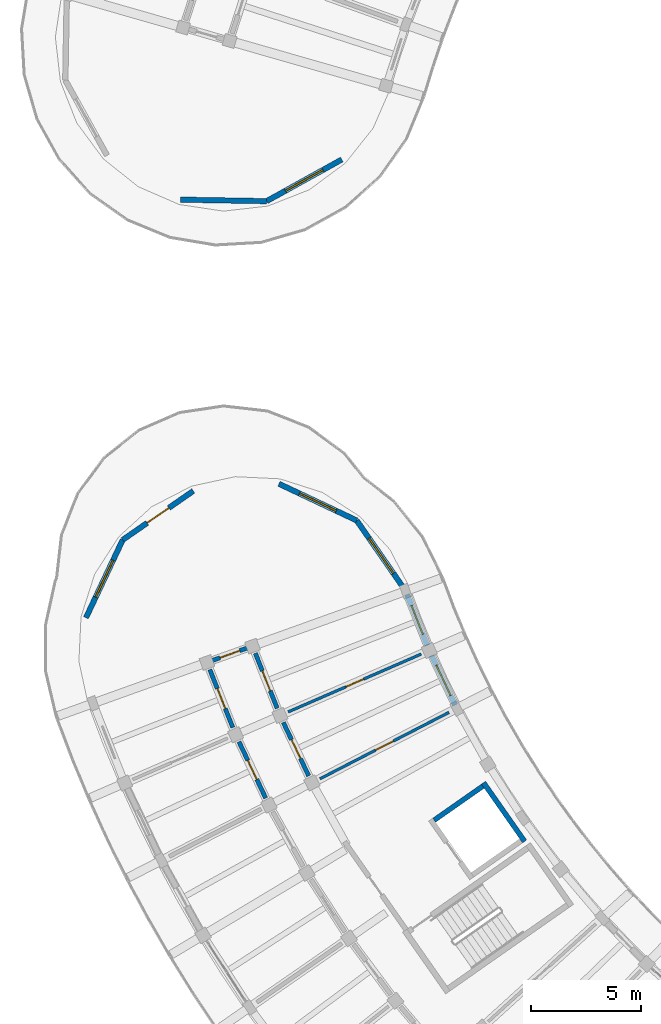
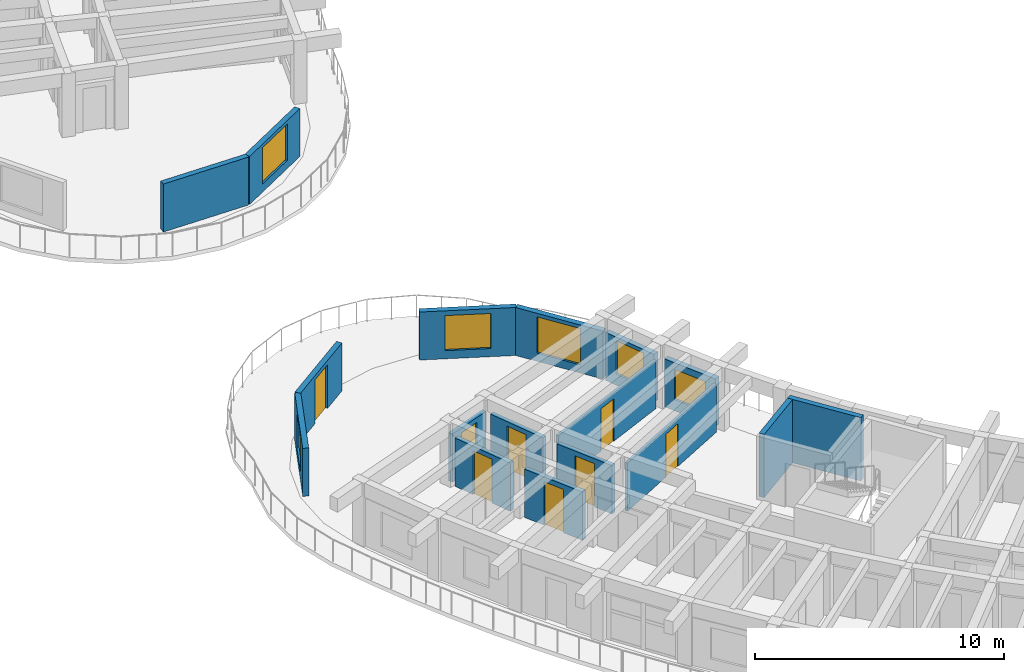
# One storey, part 40 of 78: 17 walls, 8 doors, 6 windows, 14 openings.
"""IFC4 building model written with IfcOpenShell, lengths in metres."""

from ifc_helpers import new_model, si_unit, direction, frame, frame_2d, origin, place, context, subcontext, project, spatial, rectangle, extrude, material, layer, layer_set, type_object, element, fill, save


model = new_model("IFC4")

# Units and contexts
model_context = context("Model", 3, precision=1e-05, world=origin(), true_north=direction((0.0, 1.0)))
body_context = subcontext(model_context, "Body", "Model", "MODEL_VIEW")
ifc_project = project(units=[si_unit("LENGTHUNIT", "METRE"), si_unit("AREAUNIT", "SQUARE_METRE"), si_unit("VOLUMEUNIT", "CUBIC_METRE"), si_unit("PLANEANGLEUNIT", "RADIAN"), si_unit("MASSUNIT", "GRAM", prefix="KILO")], contexts=[model_context])

# Site, building, storey
site_placement = place(None, origin())
site = spatial("IfcSite", under=ifc_project, at=site_placement, CompositionType="ELEMENT")
building_placement = place(site_placement, origin())
building = spatial("IfcBuilding", under=site, at=building_placement, Name="Tanwirah Colonnade Gardens", CompositionType="ELEMENT")
storey_placement = place(building_placement, frame((0.0, 0.0, 22.280029296875)))
storey = spatial("IfcBuildingStorey", under=building, at=storey_placement, Name="L06", CompositionType="ELEMENT", Elevation=22.280029296875)

# Wall, opening, window
ifc_material_1 = material(Name="Limestone architectural precast concrete C40/50", Category="masonry")
ifc_layer_1 = layer(ifc_material_1, 0.2451171875)
ifc_layer_set_1 = layer_set([ifc_layer_1], Name="Limestone architectural precast concrete C40/50")
wall_type_1 = type_object("IfcWallType", Name="EW-PC245", PredefinedType="SOLIDWALL", material=ifc_layer_set_1)
wall_1_placement = place(storey_placement, frame((20.259033203125, 69.10205078125, 0.0), z_axis=(0.0, 0.0, 1.0), x_axis=(-0.874643043537, -0.484767517881, 0.0)))
wall_1 = element("IfcWall", 1, at=wall_1_placement, inside=storey, type_object=wall_type_1, Name="Block A L06 END Rounded End Wall 1", PredefinedType="SOLIDWALL", context=body_context, shape_type="SweptSolid", body=[
    extrude(rectangle(XDim=3.908203125, YDim=0.2451171875, at=frame_2d((1.9541015625, 0.0))), origin(), (0.0, 0.0, 1.0), 2.35498046875),
])
opening_1_placement = place(wall_1_placement, frame((0.97900390625, 0.0, 0.39990234375)))
opening_1 = element("IfcOpeningElement", 2, at=opening_1_placement, cuts=wall_1, Name="Opening WIN-END2", PredefinedType="OPENING", context=body_context, shape_type="SweptSolid", body=[
    extrude(rectangle(XDim=1.949951171875, YDim=1.780029296875, at=frame_2d((0.97509765625, 0.89013671875))), frame((0.0, 0.132568359375, 0.0), z_axis=(0.0, -1.0, 0.0), x_axis=(1.0, 0.0, 0.0)), (0.0, 0.0, 1.0), 0.26513671875),
])
ifc_material_2 = material(Name="Thermally broken bronze aluminium and solar low-E double glazing", Category="aluminium")
window_type_1 = type_object("IfcWindowType", Name="WIN-END2", PartitioningType="TRIPLE_PANEL_VERTICAL", PredefinedType="WINDOW", material=ifc_material_2)
window_1_placement = place(opening_1_placement, origin())
window_1 = element("IfcWindow", 3, at=window_1_placement, inside=storey, type_object=window_type_1, Name="Rounded corner window A-L06-END-1", OverallHeight=1.780029296875, OverallWidth=1.949951171875, PartitioningType="SINGLE_PANEL", PredefinedType="WINDOW", context=body_context, shape_type="SweptSolid", body=[
    extrude(rectangle(XDim=1.949951171875, YDim=1.780029296875, at=frame_2d((0.97509765625, 0.89013671875))), frame((0.0, 0.030029296875, 0.0), z_axis=(0.0, -1.0, 0.0), x_axis=(1.0, 0.0, 0.0)), (0.0, 0.0, 1.0), 0.06005859375),
])
fill(opening_1, window_1)

# Wall
wall_2_placement = place(storey_placement, frame((16.8408203125, 67.20751953125, 0.0), z_axis=(0.0, 0.0, 1.0), x_axis=(-0.999848096392, 0.017429404492, 0.0)))
element("IfcWall", 4, at=wall_2_placement, inside=storey, type_object=wall_type_1, Name="Block A L06 END Rounded End Wall 2", PredefinedType="SOLIDWALL", context=body_context, shape_type="SweptSolid", body=[
    extrude(rectangle(XDim=3.907958984375, YDim=0.2451171875, at=frame_2d((1.9541015625, 0.0))), origin(), (0.0, 0.0, 1.0), 2.35498046875),
])

# Wall, opening, window
wall_3_placement = place(storey_placement, frame((23.2236328125, 49.330810546875, 0.0), z_axis=(0.0, 0.0, 1.0), x_axis=(0.368558756085, -0.9296044553, 0.0)))
wall_3 = element("IfcWall", 5, at=wall_3_placement, inside=storey, type_object=wall_type_1, Name="Block C L06 IN Precast Facade Wall 1", PredefinedType="SOLIDWALL", context=body_context, shape_type="SweptSolid", body=[
    extrude(rectangle(XDim=2.49853515625, YDim=0.2451171875, at=frame_2d((1.249267578125, 0.0))), origin(), (0.0, 0.0, 1.0), 2.35498046875),
])
opening_2_placement = place(wall_3_placement, frame((0.54931640625, 0.0, 0.550048828125)))
opening_2 = element("IfcOpeningElement", 6, at=opening_2_placement, cuts=wall_3, Name="Opening WIN-U07", PredefinedType="OPENING", context=body_context, shape_type="SweptSolid", body=[
    extrude(rectangle(XDim=1.39990234375, YDim=1.635009765625, at=frame_2d((0.699951171875, 0.8173828125))), frame((0.0, 0.132568359375, 0.0), z_axis=(0.0, -1.0, 0.0), x_axis=(1.0, 0.0, 0.0)), (0.0, 0.0, 1.0), 0.26513671875),
])
window_type_2 = type_object("IfcWindowType", Name="WIN-U07", PartitioningType="DOUBLE_PANEL_VERTICAL", PredefinedType="WINDOW", material=ifc_material_2)
window_2_placement = place(opening_2_placement, origin())
window_2 = element("IfcWindow", 7, at=window_2_placement, inside=storey, type_object=window_type_2, Name="Facade window C-L06-IN-01", OverallHeight=1.635009765625, OverallWidth=1.39990234375, PartitioningType="SINGLE_PANEL", PredefinedType="WINDOW", context=body_context, shape_type="SweptSolid", body=[
    extrude(rectangle(XDim=1.39990234375, YDim=1.635009765625, at=frame_2d((0.699951171875, 0.8173828125))), frame((0.0, 0.030029296875, 0.0), z_axis=(0.0, -1.0, 0.0), x_axis=(1.0, 0.0, 0.0)), (0.0, 0.0, 1.0), 0.06005859375),
])
fill(opening_2, window_2)

wall_4_placement = place(storey_placement, frame((24.34375, 46.5498046875, 0.0), z_axis=(0.0, 0.0, 1.0), x_axis=(0.428514676045, -0.903534820809, 0.0)))
wall_4 = element("IfcWall", 8, at=wall_4_placement, inside=storey, type_object=wall_type_1, Name="Block C L06 IN Precast Facade Wall 2", PredefinedType="SOLIDWALL", context=body_context, shape_type="SweptSolid", body=[
    extrude(rectangle(XDim=2.498779296875, YDim=0.2451171875, at=frame_2d((1.24951171875, 0.0))), origin(), (0.0, 0.0, 1.0), 2.35498046875),
])
opening_3_placement = place(wall_4_placement, frame((0.489501953125, 0.0, 0.550048828125)))
opening_3 = element("IfcOpeningElement", 9, at=opening_3_placement, cuts=wall_4, Name="Opening WIN-U10", PredefinedType="OPENING", context=body_context, shape_type="SweptSolid", body=[
    extrude(rectangle(XDim=1.52001953125, YDim=1.485107421875, at=frame_2d((0.760009765625, 0.74267578125))), frame((0.0, 0.132568359375, 0.0), z_axis=(0.0, -1.0, 0.0), x_axis=(1.0, 0.0, 0.0)), (0.0, 0.0, 1.0), 0.26513671875),
])
window_type_3 = type_object("IfcWindowType", Name="WIN-U10", PartitioningType="DOUBLE_PANEL_VERTICAL", PredefinedType="WINDOW", material=ifc_material_2)
window_3_placement = place(opening_3_placement, origin())
window_3 = element("IfcWindow", 10, at=window_3_placement, inside=storey, type_object=window_type_3, Name="Facade window C-L06-IN-02", OverallHeight=1.485107421875, OverallWidth=1.52001953125, PartitioningType="SINGLE_PANEL", PredefinedType="WINDOW", context=body_context, shape_type="SweptSolid", body=[
    extrude(rectangle(XDim=1.52001953125, YDim=1.485107421875, at=frame_2d((0.760009765625, 0.74267578125))), frame((0.0, 0.030029296875, 0.0), z_axis=(0.0, -1.0, 0.0), x_axis=(1.0, 0.0, 0.0)), (0.0, 0.0, 1.0), 0.06005859375),
])
fill(opening_3, window_3)

wall_5_placement = place(storey_placement, frame((8.62939453125, 48.271728515625, 0.0), z_axis=(0.0, 0.0, 1.0), x_axis=(0.42653093848, 0.904472972796, 0.0)))
wall_5 = element("IfcWall", 11, at=wall_5_placement, inside=storey, type_object=wall_type_1, Name="Block C L06 START Rounded End Wall 1", PredefinedType="SOLIDWALL", context=body_context, shape_type="SweptSolid", body=[
    extrude(rectangle(XDim=3.908203125, YDim=0.2451171875, at=frame_2d((1.9541015625, 0.0))), origin(), (0.0, 0.0, 1.0), 2.35498046875),
])
opening_4_placement = place(wall_5_placement, frame((1.029052734375, 0.0, 0.39990234375)))
opening_4 = element("IfcOpeningElement", 12, at=opening_4_placement, cuts=wall_5, Name="Opening WIN-END1", PredefinedType="OPENING", context=body_context, shape_type="SweptSolid", body=[
    extrude(rectangle(XDim=1.85009765625, YDim=1.719970703125, at=frame_2d((0.925048828125, 0.85986328125))), frame((0.0, 0.132568359375, 0.0), z_axis=(0.0, -1.0, 0.0), x_axis=(1.0, 0.0, 0.0)), (0.0, 0.0, 1.0), 0.26513671875),
])
window_type_4 = type_object("IfcWindowType", Name="WIN-END1", PartitioningType="TRIPLE_PANEL_VERTICAL", PredefinedType="WINDOW", material=ifc_material_2)
window_4_placement = place(opening_4_placement, origin())
window_4 = element("IfcWindow", 13, at=window_4_placement, inside=storey, type_object=window_type_4, Name="Rounded corner window C-L06-START-1", OverallHeight=1.719970703125, OverallWidth=1.85009765625, PartitioningType="SINGLE_PANEL", PredefinedType="WINDOW", context=body_context, shape_type="SweptSolid", body=[
    extrude(rectangle(XDim=1.85009765625, YDim=1.719970703125, at=frame_2d((0.925048828125, 0.85986328125))), frame((0.0, 0.030029296875, 0.0), z_axis=(0.0, -1.0, 0.0), x_axis=(1.0, 0.0, 0.0)), (0.0, 0.0, 1.0), 0.06005859375),
])
fill(opening_4, window_4)

# Wall, opening, door
wall_6_placement = place(storey_placement, frame((10.29638671875, 51.806640625, 0.0), z_axis=(0.0, 0.0, 1.0), x_axis=(0.821663343994, 0.569973112644, 0.0)))
wall_6 = element("IfcWall", 14, at=wall_6_placement, inside=storey, type_object=wall_type_1, Name="Block C L06 START Rounded End Wall 2", PredefinedType="SOLIDWALL", context=body_context, shape_type="SweptSolid", body=[
    extrude(rectangle(XDim=3.908203125, YDim=0.2451171875, at=frame_2d((1.9541015625, 0.0))), origin(), (0.0, 0.0, 1.0), 2.35498046875),
])
opening_5_placement = place(wall_6_placement, frame((1.35400390625, 0.0, 0.0)))
opening_5 = element("IfcOpeningElement", 15, at=opening_5_placement, cuts=wall_6, Name="Opening L06-ED157", PredefinedType="OPENING", context=body_context, shape_type="SweptSolid", body=[
    extrude(rectangle(XDim=1.199951171875, YDim=2.14990234375, at=frame_2d((0.60009765625, 1.074951171875))), frame((0.0, 0.132568359375, 0.0), z_axis=(0.0, -1.0, 0.0), x_axis=(1.0, 0.0, 0.0)), (0.0, 0.0, 1.0), 0.26513671875),
])
ifc_material_3 = material(Name="Bronze aluminium glazed terrace door", Category="aluminium")
door_type_1 = type_object("IfcDoorType", Name="ED-TER120", OperationType="NOTDEFINED", PredefinedType="DOOR", material=ifc_material_3)
door_1_placement = place(opening_5_placement, origin())
door_1 = element("IfcDoor", 16, at=door_1_placement, inside=storey, type_object=door_type_1, Name="Stepped corner terrace door L06-ED157", OperationType="SINGLE_SWING_RIGHT", OverallHeight=2.14990234375, OverallWidth=1.199951171875, PredefinedType="DOOR", context=body_context, shape_type="SweptSolid", body=[
    extrude(rectangle(XDim=1.199951171875, YDim=2.14990234375, at=frame_2d((0.60009765625, 1.074951171875))), frame((0.0, 0.02490234375, 0.0), z_axis=(0.0, -1.0, 0.0), x_axis=(1.0, 0.0, 0.0)), (0.0, 0.0, 1.0), 0.050048828125),
])
fill(opening_5, door_1)

# Wall, opening, window
wall_7_placement = place(storey_placement, frame((17.40234375, 54.35791015625, 0.0), z_axis=(0.0, 0.0, 1.0), x_axis=(0.904437504678, -0.426606141694, 0.0)))
wall_7 = element("IfcWall", 17, at=wall_7_placement, inside=storey, type_object=wall_type_1, Name="Block C L06 START Rounded End Wall 4", PredefinedType="SOLIDWALL", context=body_context, shape_type="SweptSolid", body=[
    extrude(rectangle(XDim=3.908203125, YDim=0.2451171875, at=frame_2d((1.9541015625, 0.0))), origin(), (0.0, 0.0, 1.0), 2.35498046875),
])
opening_6_placement = place(wall_7_placement, frame((1.029052734375, 0.0, 0.39990234375)))
opening_6 = element("IfcOpeningElement", 18, at=opening_6_placement, cuts=wall_7, Name="Opening WIN-END1", PredefinedType="OPENING", context=body_context, shape_type="SweptSolid", body=[
    extrude(rectangle(XDim=1.85009765625, YDim=1.719970703125, at=frame_2d((0.925048828125, 0.85986328125))), frame((0.0, 0.132568359375, 0.0), z_axis=(0.0, -1.0, 0.0), x_axis=(1.0, 0.0, 0.0)), (0.0, 0.0, 1.0), 0.26513671875),
])
window_5_placement = place(opening_6_placement, origin())
window_5 = element("IfcWindow", 19, at=window_5_placement, inside=storey, type_object=window_type_4, Name="Rounded corner window C-L06-START-4", OverallHeight=1.719970703125, OverallWidth=1.85009765625, PartitioningType="SINGLE_PANEL", PredefinedType="WINDOW", context=body_context, shape_type="SweptSolid", body=[
    extrude(rectangle(XDim=1.85009765625, YDim=1.719970703125, at=frame_2d((0.925048828125, 0.85986328125))), frame((0.0, 0.030029296875, 0.0), z_axis=(0.0, -1.0, 0.0), x_axis=(1.0, 0.0, 0.0)), (0.0, 0.0, 1.0), 0.06005859375),
])
fill(opening_6, window_5)

wall_8_placement = place(storey_placement, frame((20.93701171875, 52.690673828125, 0.0), z_axis=(0.0, 0.0, 1.0), x_axis=(0.570015285568, -0.82163408779, 0.0)))
wall_8 = element("IfcWall", 20, at=wall_8_placement, inside=storey, type_object=wall_type_1, Name="Block C L06 START Rounded End Wall 5", PredefinedType="SOLIDWALL", context=body_context, shape_type="SweptSolid", body=[
    extrude(rectangle(XDim=3.908203125, YDim=0.2451171875, at=frame_2d((1.9541015625, 0.0))), origin(), (0.0, 0.0, 1.0), 2.35498046875),
])
opening_7_placement = place(wall_8_placement, frame((0.97900390625, 0.0, 0.39990234375)))
opening_7 = element("IfcOpeningElement", 21, at=opening_7_placement, cuts=wall_8, Name="Opening WIN-END2", PredefinedType="OPENING", context=body_context, shape_type="SweptSolid", body=[
    extrude(rectangle(XDim=1.949951171875, YDim=1.780029296875, at=frame_2d((0.97509765625, 0.89013671875))), frame((0.0, 0.132568359375, 0.0), z_axis=(0.0, -1.0, 0.0), x_axis=(1.0, 0.0, 0.0)), (0.0, 0.0, 1.0), 0.26513671875),
])
window_6_placement = place(opening_7_placement, origin())
window_6 = element("IfcWindow", 22, at=window_6_placement, inside=storey, type_object=window_type_1, Name="Rounded corner window C-L06-START-5", OverallHeight=1.780029296875, OverallWidth=1.949951171875, PartitioningType="SINGLE_PANEL", PredefinedType="WINDOW", context=body_context, shape_type="SweptSolid", body=[
    extrude(rectangle(XDim=1.949951171875, YDim=1.780029296875, at=frame_2d((0.97509765625, 0.89013671875))), frame((0.0, 0.030029296875, 0.0), z_axis=(0.0, -1.0, 0.0), x_axis=(1.0, 0.0, 0.0)), (0.0, 0.0, 1.0), 0.06005859375),
])
fill(opening_7, window_6)

# Wall, opening, door
ifc_material_4 = material(Name="Precast concrete C40/50", Category="concrete")
ifc_layer_2 = layer(ifc_material_4, 0.195068359375)
ifc_layer_set_2 = layer_set([ifc_layer_2], Name="Precast concrete C40/50")
wall_type_2 = type_object("IfcWallType", Name="IW-CORR195", PredefinedType="PARTITIONING", material=ifc_layer_set_2)
wall_9_placement = place(storey_placement, frame((14.25830078125, 45.91015625, 0.0), z_axis=(0.0, 0.0, 1.0), x_axis=(0.368584691693, -0.929594172233, 0.0)))
wall_9 = element("IfcWall", 23, at=wall_9_placement, inside=storey, type_object=wall_type_2, Name="Block C L06 OUT Corridor Wall 1", PredefinedType="PARTITIONING", context=body_context, shape_type="SweptSolid", body=[
    extrude(rectangle(XDim=2.8369140625, YDim=0.195068359375, at=frame_2d((1.41845703125, 0.0))), origin(), (0.0, 0.0, 1.0), 2.369873046875),
])
opening_8_placement = place(wall_9_placement, frame((0.93359375, 0.0, 0.0)))
opening_8 = element("IfcOpeningElement", 24, at=opening_8_placement, cuts=wall_9, Name="Opening L06-AD1505", PredefinedType="OPENING", context=body_context, shape_type="SweptSolid", body=[
    extrude(rectangle(XDim=0.969970703125, YDim=2.14990234375, at=frame_2d((0.48486328125, 1.074951171875))), frame((0.0, 0.107421875, 0.0), z_axis=(0.0, -1.0, 0.0), x_axis=(1.0, 0.0, 0.0)), (0.0, 0.0, 1.0), 0.215087890625),
])
ifc_material_5 = material(Name="Solid oak fire-resisting apartment entrance door")
door_type_2 = type_object("IfcDoorType", Name="ID-FLT097", OperationType="NOTDEFINED", PredefinedType="DOOR", material=ifc_material_5)
door_2_placement = place(opening_8_placement, origin())
door_2 = element("IfcDoor", 25, at=door_2_placement, inside=storey, type_object=door_type_2, Name="Apartment corridor door L06-AD1505", OperationType="SINGLE_SWING_RIGHT", OverallHeight=2.14990234375, OverallWidth=0.969970703125, PredefinedType="DOOR", context=body_context, shape_type="SweptSolid", body=[
    extrude(rectangle(XDim=0.969970703125, YDim=2.14990234375, at=frame_2d((0.48486328125, 1.074951171875))), frame((0.0, 0.02490234375, 0.0), z_axis=(0.0, -1.0, 0.0), x_axis=(1.0, 0.0, 0.0)), (0.0, 0.0, 1.0), 0.050048828125),
])
fill(opening_8, door_2)

wall_10_placement = place(storey_placement, frame((16.3291015625, 46.653564453125, 0.0), z_axis=(0.0, 0.0, 1.0), x_axis=(0.368528468945, -0.929616462622, 0.0)))
wall_10 = element("IfcWall", 26, at=wall_10_placement, inside=storey, type_object=wall_type_2, Name="Block C L06 IN Corridor Wall 1", PredefinedType="PARTITIONING", context=body_context, shape_type="SweptSolid", body=[
    extrude(rectangle(XDim=2.69287109375, YDim=0.195068359375, at=frame_2d((1.346435546875, 0.0))), origin(), (0.0, 0.0, 1.0), 2.369873046875),
])
opening_9_placement = place(wall_10_placement, frame((0.861572265625, 0.0, 0.0)))
opening_9 = element("IfcOpeningElement", 27, at=opening_9_placement, cuts=wall_10, Name="Opening L06-AD1506", PredefinedType="OPENING", context=body_context, shape_type="SweptSolid", body=[
    extrude(rectangle(XDim=0.969970703125, YDim=2.14990234375, at=frame_2d((0.48486328125, 1.074951171875))), frame((0.0, 0.107421875, 0.0), z_axis=(0.0, -1.0, 0.0), x_axis=(1.0, 0.0, 0.0)), (0.0, 0.0, 1.0), 0.215087890625),
])
door_3_placement = place(opening_9_placement, origin())
door_3 = element("IfcDoor", 28, at=door_3_placement, inside=storey, type_object=door_type_2, Name="Apartment corridor door L06-AD1506", OperationType="SINGLE_SWING_LEFT", OverallHeight=2.14990234375, OverallWidth=0.969970703125, PredefinedType="DOOR", context=body_context, shape_type="SweptSolid", body=[
    extrude(rectangle(XDim=0.969970703125, YDim=2.14990234375, at=frame_2d((0.48486328125, 1.074951171875))), frame((0.0, 0.02490234375, 0.0), z_axis=(0.0, -1.0, 0.0), x_axis=(1.0, 0.0, 0.0)), (0.0, 0.0, 1.0), 0.050048828125),
])
fill(opening_9, door_3)

wall_11_placement = place(storey_placement, frame((15.5830078125, 42.63134765625, 0.0), z_axis=(0.0, 0.0, 1.0), x_axis=(0.428493237107, -0.903544988229, 0.0)))
wall_11 = element("IfcWall", 29, at=wall_11_placement, inside=storey, type_object=wall_type_2, Name="Block C L06 OUT Corridor Wall 2", PredefinedType="PARTITIONING", context=body_context, shape_type="SweptSolid", body=[
    extrude(rectangle(XDim=2.8369140625, YDim=0.195068359375, at=frame_2d((1.41845703125, 0.0))), origin(), (0.0, 0.0, 1.0), 2.369873046875),
])
opening_10_placement = place(wall_11_placement, frame((0.943603515625, 0.0, 0.0)))
opening_10 = element("IfcOpeningElement", 30, at=opening_10_placement, cuts=wall_11, Name="Opening L06-AD1509", PredefinedType="OPENING", context=body_context, shape_type="SweptSolid", body=[
    extrude(rectangle(XDim=0.949951171875, YDim=2.1298828125, at=frame_2d((0.47509765625, 1.06494140625))), frame((0.0, 0.107421875, 0.0), z_axis=(0.0, -1.0, 0.0), x_axis=(1.0, 0.0, 0.0)), (0.0, 0.0, 1.0), 0.215087890625),
])
door_type_3 = type_object("IfcDoorType", Name="ID-FLT095", OperationType="NOTDEFINED", PredefinedType="DOOR", material=ifc_material_5)
door_4_placement = place(opening_10_placement, origin())
door_4 = element("IfcDoor", 31, at=door_4_placement, inside=storey, type_object=door_type_3, Name="Apartment corridor door L06-AD1509", OperationType="SINGLE_SWING_LEFT", OverallHeight=2.1298828125, OverallWidth=0.949951171875, PredefinedType="DOOR", context=body_context, shape_type="SweptSolid", body=[
    extrude(rectangle(XDim=0.949951171875, YDim=2.1298828125, at=frame_2d((0.47509765625, 1.06494140625))), frame((0.0, 0.02490234375, 0.0), z_axis=(0.0, -1.0, 0.0), x_axis=(1.0, 0.0, 0.0)), (0.0, 0.0, 1.0), 0.050048828125),
])
fill(opening_10, door_4)

wall_12_placement = place(storey_placement, frame((17.600341796875, 43.508544921875, 0.0), z_axis=(0.0, 0.0, 1.0), x_axis=(0.428550049392, -0.903518043631, 0.0)))
wall_12 = element("IfcWall", 32, at=wall_12_placement, inside=storey, type_object=wall_type_2, Name="Block C L06 IN Corridor Wall 2", PredefinedType="PARTITIONING", context=body_context, shape_type="SweptSolid", body=[
    extrude(rectangle(XDim=2.69287109375, YDim=0.195068359375, at=frame_2d((1.346435546875, 0.0))), origin(), (0.0, 0.0, 1.0), 2.369873046875),
])
opening_11_placement = place(wall_12_placement, frame((0.87158203125, 0.0, 0.0)))
opening_11 = element("IfcOpeningElement", 33, at=opening_11_placement, cuts=wall_12, Name="Opening L06-AD1510", PredefinedType="OPENING", context=body_context, shape_type="SweptSolid", body=[
    extrude(rectangle(XDim=0.949951171875, YDim=2.1298828125, at=frame_2d((0.47509765625, 1.06494140625))), frame((0.0, 0.107421875, 0.0), z_axis=(0.0, -1.0, 0.0), x_axis=(1.0, 0.0, 0.0)), (0.0, 0.0, 1.0), 0.215087890625),
])
door_5_placement = place(opening_11_placement, origin())
door_5 = element("IfcDoor", 34, at=door_5_placement, inside=storey, type_object=door_type_3, Name="Apartment corridor door L06-AD1510", OperationType="SINGLE_SWING_RIGHT", OverallHeight=2.1298828125, OverallWidth=0.949951171875, PredefinedType="DOOR", context=body_context, shape_type="SweptSolid", body=[
    extrude(rectangle(XDim=0.949951171875, YDim=2.1298828125, at=frame_2d((0.47509765625, 1.06494140625))), frame((0.0, 0.02490234375, 0.0), z_axis=(0.0, -1.0, 0.0), x_axis=(1.0, 0.0, 0.0)), (0.0, 0.0, 1.0), 0.050048828125),
])
fill(opening_11, door_5)

wall_13_placement = place(storey_placement, frame((16.153076171875, 46.962158203125, 0.0), z_axis=(0.0, 0.0, 1.0), x_axis=(-0.941167179085, -0.337941327767, 0.0)))
wall_13 = element("IfcWall", 35, at=wall_13_placement, inside=storey, type_object=wall_type_2, Name="Block C L06 CS Corner Suite Corridor Wall", PredefinedType="PARTITIONING", context=body_context, shape_type="SweptSolid", body=[
    extrude(rectangle(XDim=2.10009765625, YDim=0.195068359375, at=frame_2d((1.050048828125, 0.0))), origin(), (0.0, 0.0, 1.0), 2.369873046875),
])
opening_12_placement = place(wall_13_placement, frame((0.570068359375, 0.0, 0.0)))
opening_12 = element("IfcOpeningElement", 36, at=opening_12_placement, cuts=wall_13, Name="Opening L06-CD1537", PredefinedType="OPENING", context=body_context, shape_type="SweptSolid", body=[
    extrude(rectangle(XDim=0.949951171875, YDim=2.1298828125, at=frame_2d((0.47509765625, 1.06494140625))), frame((0.0, 0.107421875, 0.0), z_axis=(0.0, -1.0, 0.0), x_axis=(1.0, 0.0, 0.0)), (0.0, 0.0, 1.0), 0.215087890625),
])
door_6_placement = place(opening_12_placement, origin())
door_6 = element("IfcDoor", 37, at=door_6_placement, inside=storey, type_object=door_type_3, Name="Corner suite entrance door L06-CD1537", OperationType="SINGLE_SWING_LEFT", OverallHeight=2.1298828125, OverallWidth=0.949951171875, PredefinedType="DOOR", context=body_context, shape_type="SweptSolid", body=[
    extrude(rectangle(XDim=0.949951171875, YDim=2.1298828125, at=frame_2d((0.47509765625, 1.06494140625))), frame((0.0, 0.02490234375, 0.0), z_axis=(0.0, -1.0, 0.0), x_axis=(1.0, 0.0, 0.0)), (0.0, 0.0, 1.0), 0.050048828125),
])
fill(opening_12, door_6)

ifc_material_6 = material(Name="Moisture-resistant gypsum stud partition")
ifc_layer_3 = layer(ifc_material_6, 0.125)
ifc_layer_set_3 = layer_set([ifc_layer_3], Name="Moisture-resistant gypsum stud partition")
wall_type_3 = type_object("IfcWallType", Name="IW-INT125", PredefinedType="PARTITIONING", material=ifc_layer_set_3)
wall_14_placement = place(storey_placement, frame((23.869873046875, 46.6162109375, 0.0), z_axis=(0.0, 0.0, 1.0), x_axis=(-0.9170582943, -0.398753162817, 0.0)))
wall_14 = element("IfcWall", 38, at=wall_14_placement, inside=storey, type_object=wall_type_3, Name="Block C L06 Inner Radial Partition 1", PredefinedType="PARTITIONING", context=body_context, shape_type="SweptSolid", body=[
    extrude(rectangle(XDim=6.60009765625, YDim=0.125, at=frame_2d((3.300048828125, 0.0))), origin(), (0.0, 0.0, 1.0), 2.369873046875),
])
opening_13_placement = place(wall_14_placement, frame((2.864990234375, 0.0, 0.0)))
opening_13 = element("IfcOpeningElement", 39, at=opening_13_placement, cuts=wall_14, Name="Opening L06-RD1508", PredefinedType="OPENING", context=body_context, shape_type="SweptSolid", body=[
    extrude(rectangle(XDim=0.8701171875, YDim=2.080078125, at=frame_2d((0.43505859375, 1.0400390625))), frame((0.0, 0.072509765625, 0.0), z_axis=(0.0, -1.0, 0.0), x_axis=(1.0, 0.0, 0.0)), (0.0, 0.0, 1.0), 0.14501953125),
])
ifc_material_7 = material(Name="Painted hardwood study door", Category="wood")
door_type_4 = type_object("IfcDoorType", Name="ID-RM087", OperationType="NOTDEFINED", PredefinedType="DOOR", material=ifc_material_7)
door_7_placement = place(opening_13_placement, origin())
door_7 = element("IfcDoor", 40, at=door_7_placement, inside=storey, type_object=door_type_4, Name="Internal apartment door L06-RD1508", OperationType="SINGLE_SWING_LEFT", OverallHeight=2.080078125, OverallWidth=0.8701171875, PredefinedType="DOOR", context=body_context, shape_type="SweptSolid", body=[
    extrude(rectangle(XDim=0.8701171875, YDim=2.080078125, at=frame_2d((0.43505859375, 1.0400390625))), frame((0.0, 0.02490234375, 0.0), z_axis=(0.0, -1.0, 0.0), x_axis=(1.0, 0.0, 0.0)), (0.0, 0.0, 1.0), 0.050048828125),
])
fill(opening_13, door_7)

wall_15_placement = place(storey_placement, frame((25.127685546875, 43.96435546875, 0.0), z_axis=(0.0, 0.0, 1.0), x_axis=(-0.889022010753, -0.457864460727, 0.0)))
wall_15 = element("IfcWall", 41, at=wall_15_placement, inside=storey, type_object=wall_type_3, Name="Block C L06 Inner Radial Partition 2", PredefinedType="PARTITIONING", context=body_context, shape_type="SweptSolid", body=[
    extrude(rectangle(XDim=6.60009765625, YDim=0.125, at=frame_2d((3.300048828125, 0.0))), origin(), (0.0, 0.0, 1.0), 2.369873046875),
])
opening_14_placement = place(wall_15_placement, frame((2.844970703125, 0.0, 0.0)))
opening_14 = element("IfcOpeningElement", 42, at=opening_14_placement, cuts=wall_15, Name="Opening L06-RD1511", PredefinedType="OPENING", context=body_context, shape_type="SweptSolid", body=[
    extrude(rectangle(XDim=0.909912109375, YDim=2.10009765625, at=frame_2d((0.455078125, 1.050048828125))), frame((0.0, 0.072509765625, 0.0), z_axis=(0.0, -1.0, 0.0), x_axis=(1.0, 0.0, 0.0)), (0.0, 0.0, 1.0), 0.14501953125),
])
ifc_material_8 = material(Name="Painted hardwood internal room door", Category="wood")
door_type_5 = type_object("IfcDoorType", Name="ID-RM091", OperationType="NOTDEFINED", PredefinedType="DOOR", material=ifc_material_8)
door_8_placement = place(opening_14_placement, origin())
door_8 = element("IfcDoor", 43, at=door_8_placement, inside=storey, type_object=door_type_5, Name="Internal apartment door L06-RD1511", OperationType="SINGLE_SWING_RIGHT", OverallHeight=2.10009765625, OverallWidth=0.909912109375, PredefinedType="DOOR", context=body_context, shape_type="SweptSolid", body=[
    extrude(rectangle(XDim=0.909912109375, YDim=2.10009765625, at=frame_2d((0.455078125, 1.050048828125))), frame((0.0, 0.02490234375, 0.0), z_axis=(0.0, -1.0, 0.0), x_axis=(1.0, 0.0, 0.0)), (0.0, 0.0, 1.0), 0.050048828125),
])
fill(opening_14, door_8)

# Walls
ifc_material_9 = material(Name="Concrete C45/55", Category="concrete")
ifc_layer_4 = layer(ifc_material_9, 0.22998046875)
ifc_layer_set_4 = layer_set([ifc_layer_4], Name="Concrete C45/55")
wall_type_4 = type_object("IfcWallType", Name="SW-LIFT230", PredefinedType="SHEAR", material=ifc_layer_set_4)
wall_16_placement = place(storey_placement, frame((28.569091796875, 38.099609375, 0.0), z_axis=(0.0, 0.0, 1.0), x_axis=(-0.573582966431, 0.819147471839, 0.0)))
element("IfcWall", 44, at=wall_16_placement, inside=storey, type_object=wall_type_4, Name="CORE-C1 L06 Lift Shaft Wall BACK", PredefinedType="SHEAR", context=body_context, shape_type="SweptSolid", body=[
    extrude(rectangle(XDim=3.260009765625, YDim=0.22998046875, at=frame_2d((1.6298828125, 0.0))), origin(), (0.0, 0.0, 1.0), 3.10986328125),
])
wall_17_placement = place(storey_placement, frame((24.459228515625, 39.061279296875, 0.0), z_axis=(0.0, 0.0, 1.0), x_axis=(0.819189439894, 0.573523026186, 0.0)))
element("IfcWall", 45, at=wall_17_placement, inside=storey, type_object=wall_type_4, Name="CORE-C1 L06 Lift Shaft Wall SIDEB", PredefinedType="SHEAR", context=body_context, shape_type="SweptSolid", body=[
    extrude(rectangle(XDim=2.7001953125, YDim=0.22998046875, at=frame_2d((1.35009765625, 0.0))), origin(), (0.0, 0.0, 1.0), 3.10986328125),
])

save(model, "model.ifc")
